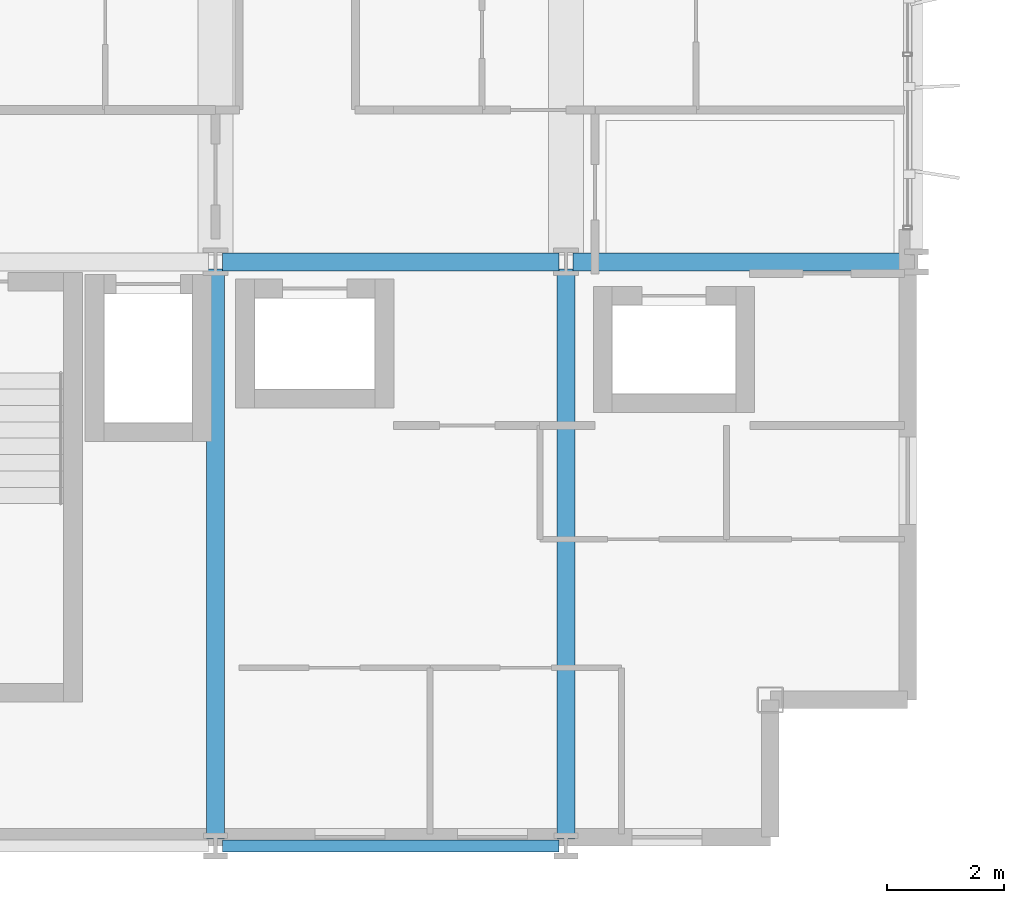
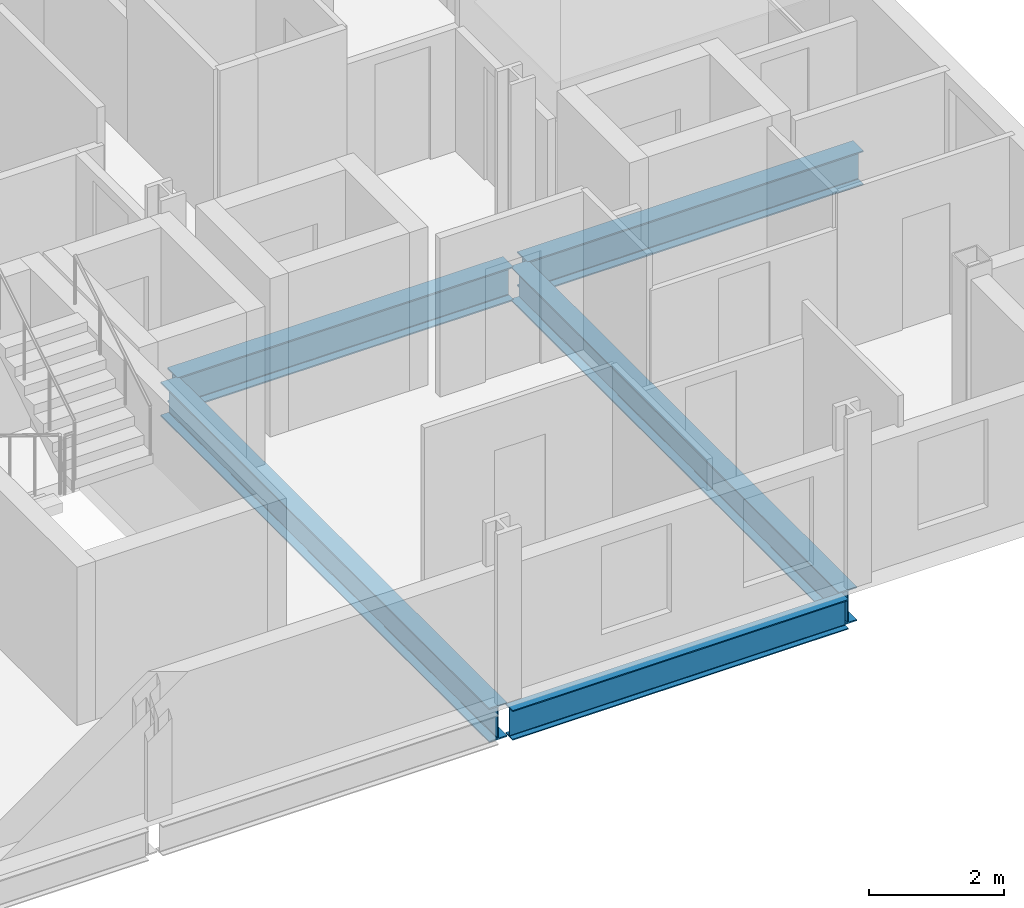
# One storey, part 14 of 38: 5 beams.
"""IFC4 building model written with IfcOpenShell, lengths in metres."""

from ifc_helpers import new_model, si_unit, direction, frame, origin, origin_2d, place, context, subcontext, project, spatial, i_section, extrude, material, material_profile, profile_set, type_object, element, save


model = new_model("IFC4")

# Units and contexts
model_context = context("Model", 3, precision=1e-05, world=origin(), true_north=direction((0.0, 1.0)))
body_context = subcontext(model_context, "Body", "Model", "MODEL_VIEW")
ifc_project = project(units=[si_unit("LENGTHUNIT", "METRE"), si_unit("AREAUNIT", "SQUARE_METRE"), si_unit("VOLUMEUNIT", "CUBIC_METRE"), si_unit("PLANEANGLEUNIT", "RADIAN"), si_unit("MASSUNIT", "GRAM", prefix="KILO")], contexts=[model_context])

# Site, building, storey
site_placement = place(None, origin())
site = spatial("IfcSite", under=ifc_project, at=site_placement, CompositionType="ELEMENT")
building_placement = place(site_placement, origin())
building = spatial("IfcBuilding", under=site, at=building_placement, Name="Brevholm Reach", CompositionType="ELEMENT")
storey_placement = place(building_placement, frame((0.0, 0.0, 28.0)))
storey = spatial("IfcBuildingStorey", under=building, at=storey_placement, Name="L06", CompositionType="ELEMENT", Elevation=28.0)

# Beams
ifc_material_1 = material(Name="Structural Steel S355J2", Category="steel")
ifc_material_profile_1 = material_profile(ifc_material_1, i_section(OverallWidth=0.210693359375, OverallDepth=0.53955078125, WebThickness=0.01171875, FlangeThickness=0.018798828125, FilletRadius=0.0126953125, at=origin_2d()), Name="UKB 533x210x109")
ifc_profile_set_1 = profile_set([ifc_material_profile_1], Name="Structural Steel S355J2")
beam_type_1 = type_object("IfcBeamType", Name="BM-SP539", PredefinedType="SPANDREL", material=ifc_profile_set_1)
beam_placement = place(storey_placement, frame((48.1201171875, 0.0, -0.539794921875), z_axis=(1.0, 0.0, 0.0), x_axis=(0.0, 1.0, 0.0)))
element("IfcBeam", 1, at=beam_placement, inside=storey, type_object=beam_type_1, Name="L06 SP-01B Framing Beam", PredefinedType="SPANDREL", context=body_context, shape_type="SweptSolid", body=[
    extrude(i_section(OverallWidth=0.210693359375, OverallDepth=0.53955078125, WebThickness=0.01171875, FlangeThickness=0.018798828125, FilletRadius=0.0126953125, at=origin_2d()), origin(), (0.0, 0.0, 1.0), 5.759765625),
])
ifc_material_2 = material(Name="Structural Steel S355J2", Category="steel")
ifc_material_profile_2 = material_profile(ifc_material_2, i_section(OverallWidth=0.30712890625, OverallDepth=0.6201171875, WebThickness=0.01416015625, FlangeThickness=0.023681640625, FilletRadius=0.0166015625, at=origin_2d()), Name="UKB 610x305x179")
ifc_profile_set_2 = profile_set([ifc_material_profile_2], Name="Structural Steel S355J2")
beam_type_2 = type_object("IfcBeamType", Name="BM-UKB610H", PredefinedType="USERDEFINED", material=ifc_profile_set_2)
for number, where, z_axis, x_axis, name in (
    (2, (48.1201171875, 10.0, -0.580078125), (1.0, 0.0, 0.0), (0.0, 1.0, 0.0), "L06 G-06 Framing Beam"),
    (3, (54.1201171875, 10.0, -0.580078125), (1.0, 0.0, 0.0), (0.0, 1.0, 0.0), "L06 G-06 Framing Beam"),
):
    element("IfcBeam", number, at=place(storey_placement, frame(where, z_axis=z_axis, x_axis=x_axis)), inside=storey, type_object=beam_type_2, Name=name, ObjectType="GIRDER", PredefinedType="USERDEFINED", context=body_context, shape_type="SweptSolid", body=[
        extrude(i_section(OverallWidth=0.30712890625, OverallDepth=0.6201171875, WebThickness=0.01416015625, FlangeThickness=0.023681640625, FilletRadius=0.0166015625, at=origin_2d()), origin(), (0.0, 0.0, 1.0), 5.759765625),
    ])
for number, where, z_axis, x_axis, name in (
    (4, (48.0, 0.1201171875, -0.580078125), (0.0, 1.0, 0.0), (-1.0, 0.0, 0.0), "L06 G-06 Framing Beam"),
    (5, (54.0, 0.1201171875, -0.580078125), (0.0, 1.0, 0.0), (-1.0, 0.0, 0.0), "L06 G-06 Framing Beam"),
):
    element("IfcBeam", number, at=place(storey_placement, frame(where, z_axis=z_axis, x_axis=x_axis)), inside=storey, type_object=beam_type_2, Name=name, ObjectType="GIRDER", PredefinedType="USERDEFINED", context=body_context, shape_type="SweptSolid", body=[
        extrude(i_section(OverallWidth=0.30712890625, OverallDepth=0.6201171875, WebThickness=0.01416015625, FlangeThickness=0.023681640625, FilletRadius=0.0166015625, at=origin_2d()), origin(), (0.0, 0.0, 1.0), 9.759765625),
    ])

save(model, "model.ifc")
